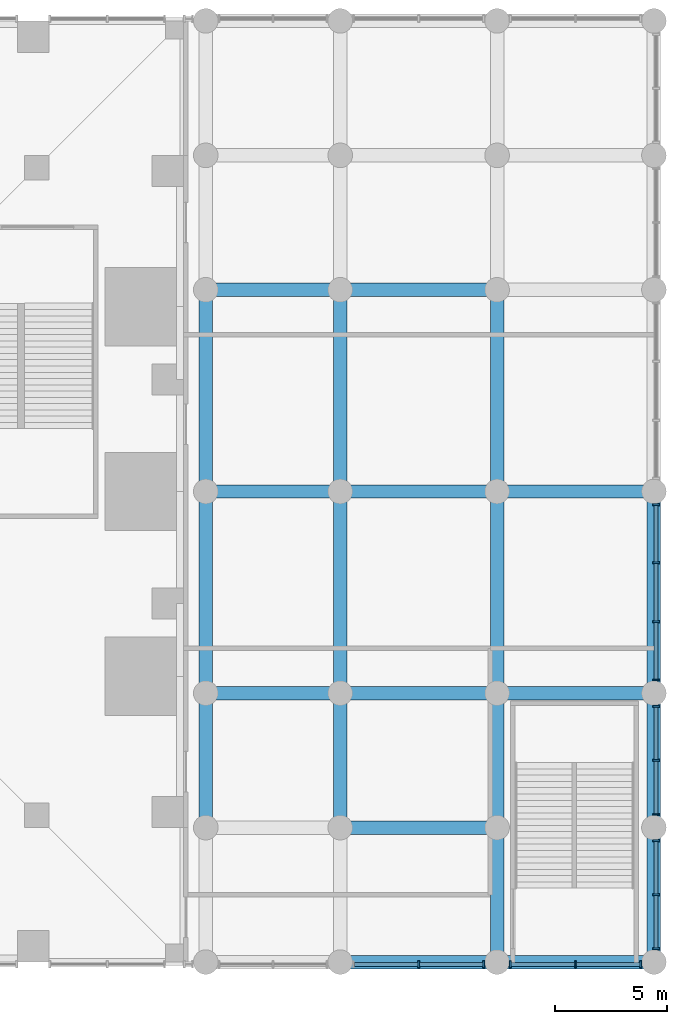
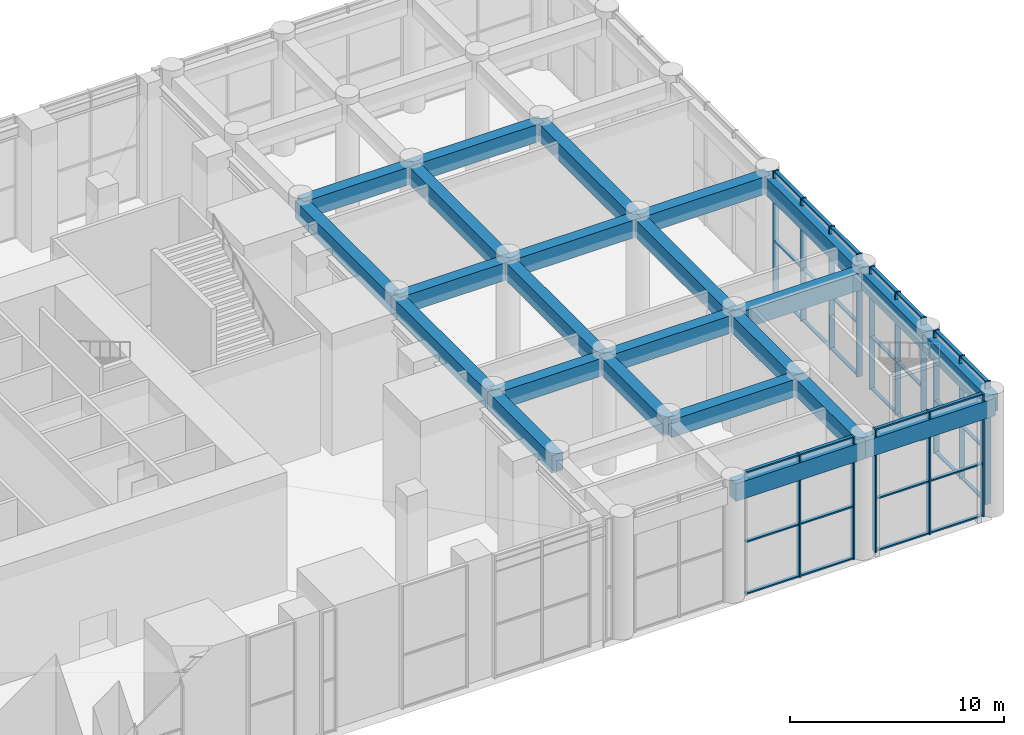
# One storey, part 12 of 30: 48 members, 24 beams, 5 elements without a shape of their own.
"""IFC4 building model written with IfcOpenShell, lengths in metres."""

from ifc_helpers import new_model, si_unit, direction, frame, origin, origin_2d, place, context, subcontext, project, spatial, rectangle, extrude, material, material_profile, profile_set, type_object, element, aggregate, save


model = new_model("IFC4")

# Units and contexts
model_context = context("Model", 3, precision=1e-05, world=origin(), true_north=direction((0.0, 1.0)))
body_context = subcontext(model_context, "Body", "Model", "MODEL_VIEW")
ifc_project = project(units=[si_unit("LENGTHUNIT", "METRE"), si_unit("AREAUNIT", "SQUARE_METRE"), si_unit("VOLUMEUNIT", "CUBIC_METRE"), si_unit("PLANEANGLEUNIT", "RADIAN"), si_unit("MASSUNIT", "GRAM", prefix="KILO")], contexts=[model_context])

# Site, building, storey
site_placement = place(None, origin())
site = spatial("IfcSite", under=ifc_project, at=site_placement, CompositionType="ELEMENT")
building_placement = place(site_placement, origin())
building = spatial("IfcBuilding", under=site, at=building_placement, Name="Svetlomir Tower", CompositionType="ELEMENT")
storey_placement = place(building_placement, frame((0.0, 0.0, 11.0)))
storey = spatial("IfcBuildingStorey", under=building, at=storey_placement, Name="L02", CompositionType="ELEMENT", Elevation=11.0)

# Curtain wall, members
ifc_material_1 = material(Name="Bronze anodised aluminium curtain wall", Category="aluminium")
curtain_wall_type = type_object("IfcCurtainWallType", Name="CURTAIN WALL CW5 PODIUM", PredefinedType="NOTDEFINED", material=ifc_material_1)
curtain_wall_1_placement = place(storey_placement, origin())
curtain_wall_1 = element("IfcCurtainWall", 1, at=curtain_wall_1_placement, inside=storey, type_object=curtain_wall_type, Name="Curtain wall CW5 L02", PredefinedType="NOTDEFINED")
ifc_material_2 = material(Name="Bronze anodised aluminium", Category="aluminium")
ifc_material_profile_1 = material_profile(ifc_material_2, rectangle(XDim=0.080078125, YDim=0.300048828125, at=origin_2d()), Name="AL 80x300")
ifc_profile_set_1 = profile_set([ifc_material_profile_1], Name="Bronze anodised aluminium 6063-T6")
member_type_1 = type_object("IfcMemberType", Name="CW5 MULLION 80x300", PredefinedType="MULLION", material=ifc_profile_set_1)
member_1_placement = place(storey_placement, frame((52.5, -0.10009765625, 0.0), z_axis=(0.0, 0.0, 1.0), x_axis=(1.0, 0.0, 0.0)))
member_1 = element("IfcMember", 2, at=member_1_placement, type_object=member_type_1, Name="CW5 mullion 2", PredefinedType="MULLION", context=body_context, shape_type="SweptSolid", body=[
    extrude(rectangle(XDim=0.080078125, YDim=0.300048828125, at=origin_2d()), origin(), (0.0, 0.0, 1.0), 7.0),
])
member_2_placement = place(storey_placement, frame((55.409912109375, -0.10009765625, 0.0), z_axis=(0.0, 0.0, 1.0), x_axis=(1.0, 0.0, 0.0)))
member_2 = element("IfcMember", 3, at=member_2_placement, type_object=member_type_1, Name="CW5 mullion 3", PredefinedType="MULLION", context=body_context, shape_type="SweptSolid", body=[
    extrude(rectangle(XDim=0.080078125, YDim=0.300048828125, at=origin_2d()), origin(), (0.0, 0.0, 1.0), 7.0),
])

curtain_wall_2_placement = place(storey_placement, origin())
curtain_wall_2 = element("IfcCurtainWall", 4, at=curtain_wall_2_placement, inside=storey, type_object=curtain_wall_type, Name="Curtain wall CW5 L02", PredefinedType="NOTDEFINED")
member_3_placement = place(storey_placement, frame((56.590087890625, -0.10009765625, 0.0), z_axis=(0.0, 0.0, 1.0), x_axis=(1.0, 0.0, 0.0)))
member_3 = element("IfcMember", 5, at=member_3_placement, type_object=member_type_1, Name="CW5 mullion 1", PredefinedType="MULLION", context=body_context, shape_type="SweptSolid", body=[
    extrude(rectangle(XDim=0.080078125, YDim=0.300048828125, at=origin_2d()), origin(), (0.0, 0.0, 1.0), 7.0),
])
member_4_placement = place(storey_placement, frame((59.5, -0.10009765625, 0.0), z_axis=(0.0, 0.0, 1.0), x_axis=(1.0, 0.0, 0.0)))
member_4 = element("IfcMember", 6, at=member_4_placement, type_object=member_type_1, Name="CW5 mullion 2", PredefinedType="MULLION", context=body_context, shape_type="SweptSolid", body=[
    extrude(rectangle(XDim=0.080078125, YDim=0.300048828125, at=origin_2d()), origin(), (0.0, 0.0, 1.0), 7.0),
])
member_5_placement = place(storey_placement, frame((62.409912109375, -0.10009765625, 0.0), z_axis=(0.0, 0.0, 1.0), x_axis=(1.0, 0.0, 0.0)))
member_5 = element("IfcMember", 7, at=member_5_placement, type_object=member_type_1, Name="CW5 mullion 3", PredefinedType="MULLION", context=body_context, shape_type="SweptSolid", body=[
    extrude(rectangle(XDim=0.080078125, YDim=0.300048828125, at=origin_2d()), origin(), (0.0, 0.0, 1.0), 7.0),
])

curtain_wall_3_placement = place(storey_placement, origin())
curtain_wall_3 = element("IfcCurtainWall", 8, at=curtain_wall_3_placement, inside=storey, type_object=curtain_wall_type, Name="Curtain wall CW5 L02", PredefinedType="NOTDEFINED")
member_6_placement = place(storey_placement, frame((63.10009765625, 0.590087890625, 0.0), z_axis=(0.0, 0.0, 1.0), x_axis=(0.0, 1.0, 0.0)))
member_6 = element("IfcMember", 9, at=member_6_placement, type_object=member_type_1, Name="CW5 mullion 1", PredefinedType="MULLION", context=body_context, shape_type="SweptSolid", body=[
    extrude(rectangle(XDim=0.080078125, YDim=0.300048828125, at=origin_2d()), origin(), (0.0, 0.0, 1.0), 7.0),
])
member_7_placement = place(storey_placement, frame((63.10009765625, 3.0, 0.0), z_axis=(0.0, 0.0, 1.0), x_axis=(0.0, 1.0, 0.0)))
member_7 = element("IfcMember", 10, at=member_7_placement, type_object=member_type_1, Name="CW5 mullion 2", PredefinedType="MULLION", context=body_context, shape_type="SweptSolid", body=[
    extrude(rectangle(XDim=0.080078125, YDim=0.300048828125, at=origin_2d()), origin(), (0.0, 0.0, 1.0), 7.0),
])
member_8_placement = place(storey_placement, frame((63.10009765625, 5.409912109375, 0.0), z_axis=(0.0, 0.0, 1.0), x_axis=(0.0, 1.0, 0.0)))
member_8 = element("IfcMember", 11, at=member_8_placement, type_object=member_type_1, Name="CW5 mullion 3", PredefinedType="MULLION", context=body_context, shape_type="SweptSolid", body=[
    extrude(rectangle(XDim=0.080078125, YDim=0.300048828125, at=origin_2d()), origin(), (0.0, 0.0, 1.0), 7.0),
])

curtain_wall_4_placement = place(storey_placement, origin())
curtain_wall_4 = element("IfcCurtainWall", 12, at=curtain_wall_4_placement, inside=storey, type_object=curtain_wall_type, Name="Curtain wall CW5 L02", PredefinedType="NOTDEFINED")
member_9_placement = place(storey_placement, frame((63.10009765625, 6.590087890625, 0.0), z_axis=(0.0, 0.0, 1.0), x_axis=(0.0, 1.0, 0.0)))
member_9 = element("IfcMember", 13, at=member_9_placement, type_object=member_type_1, Name="CW5 mullion 1", PredefinedType="MULLION", context=body_context, shape_type="SweptSolid", body=[
    extrude(rectangle(XDim=0.080078125, YDim=0.300048828125, at=origin_2d()), origin(), (0.0, 0.0, 1.0), 7.0),
])
member_10_placement = place(storey_placement, frame((63.10009765625, 9.0, 0.0), z_axis=(0.0, 0.0, 1.0), x_axis=(0.0, 1.0, 0.0)))
member_10 = element("IfcMember", 14, at=member_10_placement, type_object=member_type_1, Name="CW5 mullion 2", PredefinedType="MULLION", context=body_context, shape_type="SweptSolid", body=[
    extrude(rectangle(XDim=0.080078125, YDim=0.300048828125, at=origin_2d()), origin(), (0.0, 0.0, 1.0), 7.0),
])
member_11_placement = place(storey_placement, frame((63.10009765625, 11.409912109375, 0.0), z_axis=(0.0, 0.0, 1.0), x_axis=(0.0, 1.0, 0.0)))
member_11 = element("IfcMember", 15, at=member_11_placement, type_object=member_type_1, Name="CW5 mullion 3", PredefinedType="MULLION", context=body_context, shape_type="SweptSolid", body=[
    extrude(rectangle(XDim=0.080078125, YDim=0.300048828125, at=origin_2d()), origin(), (0.0, 0.0, 1.0), 7.0),
])

curtain_wall_5_placement = place(storey_placement, origin())
curtain_wall_5 = element("IfcCurtainWall", 16, at=curtain_wall_5_placement, inside=storey, type_object=curtain_wall_type, Name="Curtain wall CW5 L02", PredefinedType="NOTDEFINED")
member_12_placement = place(storey_placement, frame((63.10009765625, 12.590087890625, 0.0), z_axis=(0.0, 0.0, 1.0), x_axis=(0.0, 1.0, 0.0)))
member_12 = element("IfcMember", 17, at=member_12_placement, type_object=member_type_1, Name="CW5 mullion 1", PredefinedType="MULLION", context=body_context, shape_type="SweptSolid", body=[
    extrude(rectangle(XDim=0.080078125, YDim=0.300048828125, at=origin_2d()), origin(), (0.0, 0.0, 1.0), 7.0),
])
member_13_placement = place(storey_placement, frame((63.10009765625, 15.183349609375, 0.0), z_axis=(0.0, 0.0, 1.0), x_axis=(0.0, 1.0, 0.0)))
member_13 = element("IfcMember", 18, at=member_13_placement, type_object=member_type_1, Name="CW5 mullion 2", PredefinedType="MULLION", context=body_context, shape_type="SweptSolid", body=[
    extrude(rectangle(XDim=0.080078125, YDim=0.300048828125, at=origin_2d()), origin(), (0.0, 0.0, 1.0), 7.0),
])
member_14_placement = place(storey_placement, frame((63.10009765625, 17.816650390625, 0.0), z_axis=(0.0, 0.0, 1.0), x_axis=(0.0, 1.0, 0.0)))
member_14 = element("IfcMember", 19, at=member_14_placement, type_object=member_type_1, Name="CW5 mullion 3", PredefinedType="MULLION", context=body_context, shape_type="SweptSolid", body=[
    extrude(rectangle(XDim=0.080078125, YDim=0.300048828125, at=origin_2d()), origin(), (0.0, 0.0, 1.0), 7.0),
])
member_15_placement = place(storey_placement, frame((63.10009765625, 20.409912109375, 0.0), z_axis=(0.0, 0.0, 1.0), x_axis=(0.0, 1.0, 0.0)))
member_15 = element("IfcMember", 20, at=member_15_placement, type_object=member_type_1, Name="CW5 mullion 4", PredefinedType="MULLION", context=body_context, shape_type="SweptSolid", body=[
    extrude(rectangle(XDim=0.080078125, YDim=0.300048828125, at=origin_2d()), origin(), (0.0, 0.0, 1.0), 7.0),
])

# Member
ifc_material_3 = material(Name="Bronze anodised aluminium", Category="aluminium")
ifc_material_profile_2 = material_profile(ifc_material_3, rectangle(XDim=0.179931640625, YDim=0.080078125, at=origin_2d()), Name="AL 180x80")
ifc_profile_set_2 = profile_set([ifc_material_profile_2], Name="Bronze anodised aluminium 6063-T6")
member_type_2 = type_object("IfcMemberType", Name="CW5 TRANSOM 80x180", PredefinedType="USERDEFINED", material=ifc_profile_set_2)
member_16_placement = place(storey_placement, frame((49.6298828125, -0.10009765625, 0.0400390625), z_axis=(1.0, 0.0, 0.0), x_axis=(0.0, 1.0, 0.0)))
member_16 = element("IfcMember", 21, at=member_16_placement, type_object=member_type_2, Name="CW5 transom 1.1", ObjectType="TRANSOM", PredefinedType="USERDEFINED", context=body_context, shape_type="SweptSolid", body=[
    extrude(rectangle(XDim=0.179931640625, YDim=0.080078125, at=origin_2d()), origin(), (0.0, 0.0, 1.0), 2.830078125),
])

member_17_placement = place(storey_placement, frame((49.6298828125, -0.10009765625, 3.0), z_axis=(1.0, 0.0, 0.0), x_axis=(0.0, 1.0, 0.0)))
member_17 = element("IfcMember", 22, at=member_17_placement, type_object=member_type_2, Name="CW5 transom 1.2", ObjectType="TRANSOM", PredefinedType="USERDEFINED", context=body_context, shape_type="SweptSolid", body=[
    extrude(rectangle(XDim=0.179931640625, YDim=0.080078125, at=origin_2d()), origin(), (0.0, 0.0, 1.0), 2.830078125),
])

member_18_placement = place(storey_placement, frame((49.6298828125, -0.10009765625, 6.9599609375), z_axis=(1.0, 0.0, 0.0), x_axis=(0.0, 1.0, 0.0)))
member_18 = element("IfcMember", 23, at=member_18_placement, type_object=member_type_2, Name="CW5 transom 1.3", ObjectType="TRANSOM", PredefinedType="USERDEFINED", context=body_context, shape_type="SweptSolid", body=[
    extrude(rectangle(XDim=0.179931640625, YDim=0.080078125, at=origin_2d()), origin(), (0.0, 0.0, 1.0), 2.830078125),
])

member_19_placement = place(storey_placement, frame((52.5400390625, -0.10009765625, 0.0400390625), z_axis=(1.0, 0.0, 0.0), x_axis=(0.0, 1.0, 0.0)))
member_19 = element("IfcMember", 24, at=member_19_placement, type_object=member_type_2, Name="CW5 transom 2.1", ObjectType="TRANSOM", PredefinedType="USERDEFINED", context=body_context, shape_type="SweptSolid", body=[
    extrude(rectangle(XDim=0.179931640625, YDim=0.080078125, at=origin_2d()), origin(), (0.0, 0.0, 1.0), 2.830078125),
])

member_20_placement = place(storey_placement, frame((52.5400390625, -0.10009765625, 3.0), z_axis=(1.0, 0.0, 0.0), x_axis=(0.0, 1.0, 0.0)))
member_20 = element("IfcMember", 25, at=member_20_placement, type_object=member_type_2, Name="CW5 transom 2.2", ObjectType="TRANSOM", PredefinedType="USERDEFINED", context=body_context, shape_type="SweptSolid", body=[
    extrude(rectangle(XDim=0.179931640625, YDim=0.080078125, at=origin_2d()), origin(), (0.0, 0.0, 1.0), 2.830078125),
])

member_21_placement = place(storey_placement, frame((52.5400390625, -0.10009765625, 6.9599609375), z_axis=(1.0, 0.0, 0.0), x_axis=(0.0, 1.0, 0.0)))
member_21 = element("IfcMember", 26, at=member_21_placement, type_object=member_type_2, Name="CW5 transom 2.3", ObjectType="TRANSOM", PredefinedType="USERDEFINED", context=body_context, shape_type="SweptSolid", body=[
    extrude(rectangle(XDim=0.179931640625, YDim=0.080078125, at=origin_2d()), origin(), (0.0, 0.0, 1.0), 2.830078125),
])

aggregate(curtain_wall_1, [member_1, member_2, member_16, member_17, member_18, member_19, member_20, member_21])

member_22_placement = place(storey_placement, frame((56.6298828125, -0.10009765625, 0.0400390625), z_axis=(1.0, 0.0, 0.0), x_axis=(0.0, 1.0, 0.0)))
member_22 = element("IfcMember", 27, at=member_22_placement, type_object=member_type_2, Name="CW5 transom 1.1", ObjectType="TRANSOM", PredefinedType="USERDEFINED", context=body_context, shape_type="SweptSolid", body=[
    extrude(rectangle(XDim=0.179931640625, YDim=0.080078125, at=origin_2d()), origin(), (0.0, 0.0, 1.0), 2.830078125),
])

member_23_placement = place(storey_placement, frame((56.6298828125, -0.10009765625, 3.0), z_axis=(1.0, 0.0, 0.0), x_axis=(0.0, 1.0, 0.0)))
member_23 = element("IfcMember", 28, at=member_23_placement, type_object=member_type_2, Name="CW5 transom 1.2", ObjectType="TRANSOM", PredefinedType="USERDEFINED", context=body_context, shape_type="SweptSolid", body=[
    extrude(rectangle(XDim=0.179931640625, YDim=0.080078125, at=origin_2d()), origin(), (0.0, 0.0, 1.0), 2.830078125),
])

member_24_placement = place(storey_placement, frame((56.6298828125, -0.10009765625, 6.9599609375), z_axis=(1.0, 0.0, 0.0), x_axis=(0.0, 1.0, 0.0)))
member_24 = element("IfcMember", 29, at=member_24_placement, type_object=member_type_2, Name="CW5 transom 1.3", ObjectType="TRANSOM", PredefinedType="USERDEFINED", context=body_context, shape_type="SweptSolid", body=[
    extrude(rectangle(XDim=0.179931640625, YDim=0.080078125, at=origin_2d()), origin(), (0.0, 0.0, 1.0), 2.830078125),
])

member_25_placement = place(storey_placement, frame((59.5400390625, -0.10009765625, 0.0400390625), z_axis=(1.0, 0.0, 0.0), x_axis=(0.0, 1.0, 0.0)))
member_25 = element("IfcMember", 30, at=member_25_placement, type_object=member_type_2, Name="CW5 transom 2.1", ObjectType="TRANSOM", PredefinedType="USERDEFINED", context=body_context, shape_type="SweptSolid", body=[
    extrude(rectangle(XDim=0.179931640625, YDim=0.080078125, at=origin_2d()), origin(), (0.0, 0.0, 1.0), 2.830078125),
])

member_26_placement = place(storey_placement, frame((59.5400390625, -0.10009765625, 3.0), z_axis=(1.0, 0.0, 0.0), x_axis=(0.0, 1.0, 0.0)))
member_26 = element("IfcMember", 31, at=member_26_placement, type_object=member_type_2, Name="CW5 transom 2.2", ObjectType="TRANSOM", PredefinedType="USERDEFINED", context=body_context, shape_type="SweptSolid", body=[
    extrude(rectangle(XDim=0.179931640625, YDim=0.080078125, at=origin_2d()), origin(), (0.0, 0.0, 1.0), 2.830078125),
])

member_27_placement = place(storey_placement, frame((59.5400390625, -0.10009765625, 6.9599609375), z_axis=(1.0, 0.0, 0.0), x_axis=(0.0, 1.0, 0.0)))
member_27 = element("IfcMember", 32, at=member_27_placement, type_object=member_type_2, Name="CW5 transom 2.3", ObjectType="TRANSOM", PredefinedType="USERDEFINED", context=body_context, shape_type="SweptSolid", body=[
    extrude(rectangle(XDim=0.179931640625, YDim=0.080078125, at=origin_2d()), origin(), (0.0, 0.0, 1.0), 2.830078125),
])

aggregate(curtain_wall_2, [member_3, member_4, member_5, member_22, member_23, member_24, member_25, member_26, member_27])

member_28_placement = place(storey_placement, frame((63.10009765625, 0.6298828125, 0.0400390625), z_axis=(0.0, 1.0, 0.0), x_axis=(-1.0, 0.0, 0.0)))
member_28 = element("IfcMember", 33, at=member_28_placement, type_object=member_type_2, Name="CW5 transom 1.1", ObjectType="TRANSOM", PredefinedType="USERDEFINED", context=body_context, shape_type="SweptSolid", body=[
    extrude(rectangle(XDim=0.179931640625, YDim=0.080078125, at=origin_2d()), origin(), (0.0, 0.0, 1.0), 2.330078125),
])

member_29_placement = place(storey_placement, frame((63.10009765625, 0.6298828125, 3.0), z_axis=(0.0, 1.0, 0.0), x_axis=(-1.0, 0.0, 0.0)))
member_29 = element("IfcMember", 34, at=member_29_placement, type_object=member_type_2, Name="CW5 transom 1.2", ObjectType="TRANSOM", PredefinedType="USERDEFINED", context=body_context, shape_type="SweptSolid", body=[
    extrude(rectangle(XDim=0.179931640625, YDim=0.080078125, at=origin_2d()), origin(), (0.0, 0.0, 1.0), 2.330078125),
])

member_30_placement = place(storey_placement, frame((63.10009765625, 0.6298828125, 6.9599609375), z_axis=(0.0, 1.0, 0.0), x_axis=(-1.0, 0.0, 0.0)))
member_30 = element("IfcMember", 35, at=member_30_placement, type_object=member_type_2, Name="CW5 transom 1.3", ObjectType="TRANSOM", PredefinedType="USERDEFINED", context=body_context, shape_type="SweptSolid", body=[
    extrude(rectangle(XDim=0.179931640625, YDim=0.080078125, at=origin_2d()), origin(), (0.0, 0.0, 1.0), 2.330078125),
])

member_31_placement = place(storey_placement, frame((63.10009765625, 3.0400390625, 0.0400390625), z_axis=(0.0, 1.0, 0.0), x_axis=(-1.0, 0.0, 0.0)))
member_31 = element("IfcMember", 36, at=member_31_placement, type_object=member_type_2, Name="CW5 transom 2.1", ObjectType="TRANSOM", PredefinedType="USERDEFINED", context=body_context, shape_type="SweptSolid", body=[
    extrude(rectangle(XDim=0.179931640625, YDim=0.080078125, at=origin_2d()), origin(), (0.0, 0.0, 1.0), 2.330078125),
])

member_32_placement = place(storey_placement, frame((63.10009765625, 3.0400390625, 3.0), z_axis=(0.0, 1.0, 0.0), x_axis=(-1.0, 0.0, 0.0)))
member_32 = element("IfcMember", 37, at=member_32_placement, type_object=member_type_2, Name="CW5 transom 2.2", ObjectType="TRANSOM", PredefinedType="USERDEFINED", context=body_context, shape_type="SweptSolid", body=[
    extrude(rectangle(XDim=0.179931640625, YDim=0.080078125, at=origin_2d()), origin(), (0.0, 0.0, 1.0), 2.330078125),
])

member_33_placement = place(storey_placement, frame((63.10009765625, 3.0400390625, 6.9599609375), z_axis=(0.0, 1.0, 0.0), x_axis=(-1.0, 0.0, 0.0)))
member_33 = element("IfcMember", 38, at=member_33_placement, type_object=member_type_2, Name="CW5 transom 2.3", ObjectType="TRANSOM", PredefinedType="USERDEFINED", context=body_context, shape_type="SweptSolid", body=[
    extrude(rectangle(XDim=0.179931640625, YDim=0.080078125, at=origin_2d()), origin(), (0.0, 0.0, 1.0), 2.330078125),
])

aggregate(curtain_wall_3, [member_6, member_7, member_8, member_28, member_29, member_30, member_31, member_32, member_33])

member_34_placement = place(storey_placement, frame((63.10009765625, 6.6298828125, 0.0400390625), z_axis=(0.0, 1.0, 0.0), x_axis=(-1.0, 0.0, 0.0)))
member_34 = element("IfcMember", 39, at=member_34_placement, type_object=member_type_2, Name="CW5 transom 1.1", ObjectType="TRANSOM", PredefinedType="USERDEFINED", context=body_context, shape_type="SweptSolid", body=[
    extrude(rectangle(XDim=0.179931640625, YDim=0.080078125, at=origin_2d()), origin(), (0.0, 0.0, 1.0), 2.330078125),
])

member_35_placement = place(storey_placement, frame((63.10009765625, 6.6298828125, 3.0), z_axis=(0.0, 1.0, 0.0), x_axis=(-1.0, 0.0, 0.0)))
member_35 = element("IfcMember", 40, at=member_35_placement, type_object=member_type_2, Name="CW5 transom 1.2", ObjectType="TRANSOM", PredefinedType="USERDEFINED", context=body_context, shape_type="SweptSolid", body=[
    extrude(rectangle(XDim=0.179931640625, YDim=0.080078125, at=origin_2d()), origin(), (0.0, 0.0, 1.0), 2.330078125),
])

member_36_placement = place(storey_placement, frame((63.10009765625, 6.6298828125, 6.9599609375), z_axis=(0.0, 1.0, 0.0), x_axis=(-1.0, 0.0, 0.0)))
member_36 = element("IfcMember", 41, at=member_36_placement, type_object=member_type_2, Name="CW5 transom 1.3", ObjectType="TRANSOM", PredefinedType="USERDEFINED", context=body_context, shape_type="SweptSolid", body=[
    extrude(rectangle(XDim=0.179931640625, YDim=0.080078125, at=origin_2d()), origin(), (0.0, 0.0, 1.0), 2.330078125),
])

member_37_placement = place(storey_placement, frame((63.10009765625, 9.0400390625, 0.0400390625), z_axis=(0.0, 1.0, 0.0), x_axis=(-1.0, 0.0, 0.0)))
member_37 = element("IfcMember", 42, at=member_37_placement, type_object=member_type_2, Name="CW5 transom 2.1", ObjectType="TRANSOM", PredefinedType="USERDEFINED", context=body_context, shape_type="SweptSolid", body=[
    extrude(rectangle(XDim=0.179931640625, YDim=0.080078125, at=origin_2d()), origin(), (0.0, 0.0, 1.0), 2.330078125),
])

member_38_placement = place(storey_placement, frame((63.10009765625, 9.0400390625, 3.0), z_axis=(0.0, 1.0, 0.0), x_axis=(-1.0, 0.0, 0.0)))
member_38 = element("IfcMember", 43, at=member_38_placement, type_object=member_type_2, Name="CW5 transom 2.2", ObjectType="TRANSOM", PredefinedType="USERDEFINED", context=body_context, shape_type="SweptSolid", body=[
    extrude(rectangle(XDim=0.179931640625, YDim=0.080078125, at=origin_2d()), origin(), (0.0, 0.0, 1.0), 2.330078125),
])

member_39_placement = place(storey_placement, frame((63.10009765625, 9.0400390625, 6.9599609375), z_axis=(0.0, 1.0, 0.0), x_axis=(-1.0, 0.0, 0.0)))
member_39 = element("IfcMember", 44, at=member_39_placement, type_object=member_type_2, Name="CW5 transom 2.3", ObjectType="TRANSOM", PredefinedType="USERDEFINED", context=body_context, shape_type="SweptSolid", body=[
    extrude(rectangle(XDim=0.179931640625, YDim=0.080078125, at=origin_2d()), origin(), (0.0, 0.0, 1.0), 2.330078125),
])

aggregate(curtain_wall_4, [member_9, member_10, member_11, member_34, member_35, member_36, member_37, member_38, member_39])

member_40_placement = place(storey_placement, frame((63.10009765625, 12.6298828125, 0.0400390625), z_axis=(0.0, 1.0, 0.0), x_axis=(-1.0, 0.0, 0.0)))
member_40 = element("IfcMember", 45, at=member_40_placement, type_object=member_type_2, Name="CW5 transom 1.1", ObjectType="TRANSOM", PredefinedType="USERDEFINED", context=body_context, shape_type="SweptSolid", body=[
    extrude(rectangle(XDim=0.179931640625, YDim=0.080078125, at=origin_2d()), origin(), (0.0, 0.0, 1.0), 2.513427734375),
])

member_41_placement = place(storey_placement, frame((63.10009765625, 12.6298828125, 3.0), z_axis=(0.0, 1.0, 0.0), x_axis=(-1.0, 0.0, 0.0)))
member_41 = element("IfcMember", 46, at=member_41_placement, type_object=member_type_2, Name="CW5 transom 1.2", ObjectType="TRANSOM", PredefinedType="USERDEFINED", context=body_context, shape_type="SweptSolid", body=[
    extrude(rectangle(XDim=0.179931640625, YDim=0.080078125, at=origin_2d()), origin(), (0.0, 0.0, 1.0), 2.513427734375),
])

member_42_placement = place(storey_placement, frame((63.10009765625, 12.6298828125, 6.9599609375), z_axis=(0.0, 1.0, 0.0), x_axis=(-1.0, 0.0, 0.0)))
member_42 = element("IfcMember", 47, at=member_42_placement, type_object=member_type_2, Name="CW5 transom 1.3", ObjectType="TRANSOM", PredefinedType="USERDEFINED", context=body_context, shape_type="SweptSolid", body=[
    extrude(rectangle(XDim=0.179931640625, YDim=0.080078125, at=origin_2d()), origin(), (0.0, 0.0, 1.0), 2.513427734375),
])

member_43_placement = place(storey_placement, frame((63.10009765625, 15.223388671875, 0.0400390625), z_axis=(0.0, 1.0, 0.0), x_axis=(-1.0, 0.0, 0.0)))
member_43 = element("IfcMember", 48, at=member_43_placement, type_object=member_type_2, Name="CW5 transom 2.1", ObjectType="TRANSOM", PredefinedType="USERDEFINED", context=body_context, shape_type="SweptSolid", body=[
    extrude(rectangle(XDim=0.179931640625, YDim=0.080078125, at=origin_2d()), origin(), (0.0, 0.0, 1.0), 2.55322265625),
])

member_44_placement = place(storey_placement, frame((63.10009765625, 15.223388671875, 3.0), z_axis=(0.0, 1.0, 0.0), x_axis=(-1.0, 0.0, 0.0)))
member_44 = element("IfcMember", 49, at=member_44_placement, type_object=member_type_2, Name="CW5 transom 2.2", ObjectType="TRANSOM", PredefinedType="USERDEFINED", context=body_context, shape_type="SweptSolid", body=[
    extrude(rectangle(XDim=0.179931640625, YDim=0.080078125, at=origin_2d()), origin(), (0.0, 0.0, 1.0), 2.55322265625),
])

member_45_placement = place(storey_placement, frame((63.10009765625, 15.223388671875, 6.9599609375), z_axis=(0.0, 1.0, 0.0), x_axis=(-1.0, 0.0, 0.0)))
member_45 = element("IfcMember", 50, at=member_45_placement, type_object=member_type_2, Name="CW5 transom 2.3", ObjectType="TRANSOM", PredefinedType="USERDEFINED", context=body_context, shape_type="SweptSolid", body=[
    extrude(rectangle(XDim=0.179931640625, YDim=0.080078125, at=origin_2d()), origin(), (0.0, 0.0, 1.0), 2.55322265625),
])

member_46_placement = place(storey_placement, frame((63.10009765625, 17.856689453125, 0.0400390625), z_axis=(0.0, 1.0, 0.0), x_axis=(-1.0, 0.0, 0.0)))
member_46 = element("IfcMember", 51, at=member_46_placement, type_object=member_type_2, Name="CW5 transom 3.1", ObjectType="TRANSOM", PredefinedType="USERDEFINED", context=body_context, shape_type="SweptSolid", body=[
    extrude(rectangle(XDim=0.179931640625, YDim=0.080078125, at=origin_2d()), origin(), (0.0, 0.0, 1.0), 2.513427734375),
])

member_47_placement = place(storey_placement, frame((63.10009765625, 17.856689453125, 3.0), z_axis=(0.0, 1.0, 0.0), x_axis=(-1.0, 0.0, 0.0)))
member_47 = element("IfcMember", 52, at=member_47_placement, type_object=member_type_2, Name="CW5 transom 3.2", ObjectType="TRANSOM", PredefinedType="USERDEFINED", context=body_context, shape_type="SweptSolid", body=[
    extrude(rectangle(XDim=0.179931640625, YDim=0.080078125, at=origin_2d()), origin(), (0.0, 0.0, 1.0), 2.513427734375),
])

member_48_placement = place(storey_placement, frame((63.10009765625, 17.856689453125, 6.9599609375), z_axis=(0.0, 1.0, 0.0), x_axis=(-1.0, 0.0, 0.0)))
member_48 = element("IfcMember", 53, at=member_48_placement, type_object=member_type_2, Name="CW5 transom 3.3", ObjectType="TRANSOM", PredefinedType="USERDEFINED", context=body_context, shape_type="SweptSolid", body=[
    extrude(rectangle(XDim=0.179931640625, YDim=0.080078125, at=origin_2d()), origin(), (0.0, 0.0, 1.0), 2.513427734375),
])

aggregate(curtain_wall_5, [member_12, member_13, member_14, member_15, member_40, member_41, member_42, member_43, member_44, member_45, member_46, member_47, member_48])

# Beams
ifc_material_4 = material(Name="Concrete C60/75", Category="concrete")
ifc_material_profile_3 = material_profile(ifc_material_4, rectangle(XDim=0.60009765625, YDim=1.0, at=origin_2d()), Name="RC 600x1000")
ifc_profile_set_3 = profile_set([ifc_material_profile_3], Name="Concrete C60/75")
beam_type = type_object("IfcBeamType", Name="PODIUM BEAM RC 600x1000", PredefinedType="BEAM", material=ifc_profile_set_3)
beam_1_placement = place(storey_placement, frame((43.0, 6.0, 6.10009765625), z_axis=(0.0, 1.0, 0.0), x_axis=(-1.0, 0.0, 0.0)))
element("IfcBeam", 54, at=beam_1_placement, inside=storey, type_object=beam_type, Name="Podium beam 43/6 to 43/12 under L03", PredefinedType="BEAM", context=body_context, shape_type="SweptSolid", body=[
    extrude(rectangle(XDim=0.60009765625, YDim=1.0, at=origin_2d()), origin(), (0.0, 0.0, 1.0), 6.0),
])
beam_2_placement = place(storey_placement, frame((43.0, 12.0, 6.10009765625), z_axis=(0.0, 1.0, 0.0), x_axis=(-1.0, 0.0, 0.0)))
element("IfcBeam", 55, at=beam_2_placement, inside=storey, type_object=beam_type, Name="Podium beam 43/12 to 43/21 under L03", PredefinedType="BEAM", context=body_context, shape_type="SweptSolid", body=[
    extrude(rectangle(XDim=0.60009765625, YDim=1.0, at=origin_2d()), origin(), (0.0, 0.0, 1.0), 9.0),
])
beam_3_placement = place(storey_placement, frame((43.0, 12.0, 6.10009765625), z_axis=(1.0, 0.0, 0.0), x_axis=(0.0, 1.0, 0.0)))
element("IfcBeam", 56, at=beam_3_placement, inside=storey, type_object=beam_type, Name="Podium beam 43/12 to 49/12 under L03", PredefinedType="BEAM", context=body_context, shape_type="SweptSolid", body=[
    extrude(rectangle(XDim=0.60009765625, YDim=1.0, at=origin_2d()), origin(), (0.0, 0.0, 1.0), 6.0),
])
beam_4_placement = place(storey_placement, frame((43.0, 21.0, 6.10009765625), z_axis=(0.0, 1.0, 0.0), x_axis=(-1.0, 0.0, 0.0)))
element("IfcBeam", 57, at=beam_4_placement, inside=storey, type_object=beam_type, Name="Podium beam 43/21 to 43/30 under L03", PredefinedType="BEAM", context=body_context, shape_type="SweptSolid", body=[
    extrude(rectangle(XDim=0.60009765625, YDim=1.0, at=origin_2d()), origin(), (0.0, 0.0, 1.0), 9.0),
])
for number, where, z_axis, x_axis, name in (
    (58, (43.0, 21.0, 6.10009765625), (1.0, 0.0, 0.0), (0.0, 1.0, 0.0), "Podium beam 43/21 to 49/21 under L03"),
    (59, (43.0, 30.0, 6.10009765625), (1.0, 0.0, 0.0), (0.0, 1.0, 0.0), "Podium beam 43/30 to 49/30 under L03"),
):
    element("IfcBeam", number, at=place(storey_placement, frame(where, z_axis=z_axis, x_axis=x_axis)), inside=storey, type_object=beam_type, Name=name, PredefinedType="BEAM", context=body_context, shape_type="SweptSolid", body=[
        extrude(rectangle(XDim=0.60009765625, YDim=1.0, at=origin_2d()), origin(), (0.0, 0.0, 1.0), 6.0),
    ])
beam_5_placement = place(storey_placement, frame((49.0, 0.0, 6.10009765625), z_axis=(1.0, 0.0, 0.0), x_axis=(0.0, 1.0, 0.0)))
element("IfcBeam", 60, at=beam_5_placement, inside=storey, type_object=beam_type, Name="Podium beam 49/0 to 56/0 under L03", PredefinedType="BEAM", context=body_context, shape_type="SweptSolid", body=[
    extrude(rectangle(XDim=0.60009765625, YDim=1.0, at=origin_2d()), origin(), (0.0, 0.0, 1.0), 7.0),
])
beam_6_placement = place(storey_placement, frame((49.0, 6.0, 6.10009765625), z_axis=(0.0, 1.0, 0.0), x_axis=(-1.0, 0.0, 0.0)))
element("IfcBeam", 61, at=beam_6_placement, inside=storey, type_object=beam_type, Name="Podium beam 49/6 to 49/12 under L03", PredefinedType="BEAM", context=body_context, shape_type="SweptSolid", body=[
    extrude(rectangle(XDim=0.60009765625, YDim=1.0, at=origin_2d()), origin(), (0.0, 0.0, 1.0), 6.0),
])
beam_7_placement = place(storey_placement, frame((49.0, 6.0, 6.10009765625), z_axis=(1.0, 0.0, 0.0), x_axis=(0.0, 1.0, 0.0)))
element("IfcBeam", 62, at=beam_7_placement, inside=storey, type_object=beam_type, Name="Podium beam 49/6 to 56/6 under L03", PredefinedType="BEAM", context=body_context, shape_type="SweptSolid", body=[
    extrude(rectangle(XDim=0.60009765625, YDim=1.0, at=origin_2d()), origin(), (0.0, 0.0, 1.0), 7.0),
])
beam_8_placement = place(storey_placement, frame((49.0, 12.0, 6.10009765625), z_axis=(0.0, 1.0, 0.0), x_axis=(-1.0, 0.0, 0.0)))
element("IfcBeam", 63, at=beam_8_placement, inside=storey, type_object=beam_type, Name="Podium beam 49/12 to 49/21 under L03", PredefinedType="BEAM", context=body_context, shape_type="SweptSolid", body=[
    extrude(rectangle(XDim=0.60009765625, YDim=1.0, at=origin_2d()), origin(), (0.0, 0.0, 1.0), 9.0),
])
beam_9_placement = place(storey_placement, frame((49.0, 12.0, 6.10009765625), z_axis=(1.0, 0.0, 0.0), x_axis=(0.0, 1.0, 0.0)))
element("IfcBeam", 64, at=beam_9_placement, inside=storey, type_object=beam_type, Name="Podium beam 49/12 to 56/12 under L03", PredefinedType="BEAM", context=body_context, shape_type="SweptSolid", body=[
    extrude(rectangle(XDim=0.60009765625, YDim=1.0, at=origin_2d()), origin(), (0.0, 0.0, 1.0), 7.0),
])
beam_10_placement = place(storey_placement, frame((49.0, 21.0, 6.10009765625), z_axis=(0.0, 1.0, 0.0), x_axis=(-1.0, 0.0, 0.0)))
element("IfcBeam", 65, at=beam_10_placement, inside=storey, type_object=beam_type, Name="Podium beam 49/21 to 49/30 under L03", PredefinedType="BEAM", context=body_context, shape_type="SweptSolid", body=[
    extrude(rectangle(XDim=0.60009765625, YDim=1.0, at=origin_2d()), origin(), (0.0, 0.0, 1.0), 9.0),
])
for number, where, z_axis, x_axis, name in (
    (66, (49.0, 21.0, 6.10009765625), (1.0, 0.0, 0.0), (0.0, 1.0, 0.0), "Podium beam 49/21 to 56/21 under L03"),
    (67, (49.0, 30.0, 6.10009765625), (1.0, 0.0, 0.0), (0.0, 1.0, 0.0), "Podium beam 49/30 to 56/30 under L03"),
):
    element("IfcBeam", number, at=place(storey_placement, frame(where, z_axis=z_axis, x_axis=x_axis)), inside=storey, type_object=beam_type, Name=name, PredefinedType="BEAM", context=body_context, shape_type="SweptSolid", body=[
        extrude(rectangle(XDim=0.60009765625, YDim=1.0, at=origin_2d()), origin(), (0.0, 0.0, 1.0), 7.0),
    ])
beam_11_placement = place(storey_placement, frame((56.0, 0.0, 6.10009765625), z_axis=(0.0, 1.0, 0.0), x_axis=(-1.0, 0.0, 0.0)))
element("IfcBeam", 68, at=beam_11_placement, inside=storey, type_object=beam_type, Name="Podium beam 56/0 to 56/6 under L03", PredefinedType="BEAM", context=body_context, shape_type="SweptSolid", body=[
    extrude(rectangle(XDim=0.60009765625, YDim=1.0, at=origin_2d()), origin(), (0.0, 0.0, 1.0), 6.0),
])
beam_12_placement = place(storey_placement, frame((56.0, 0.0, 6.10009765625), z_axis=(1.0, 0.0, 0.0), x_axis=(0.0, 1.0, 0.0)))
element("IfcBeam", 69, at=beam_12_placement, inside=storey, type_object=beam_type, Name="Podium beam 56/0 to 63/0 under L03", PredefinedType="BEAM", context=body_context, shape_type="SweptSolid", body=[
    extrude(rectangle(XDim=0.60009765625, YDim=1.0, at=origin_2d()), origin(), (0.0, 0.0, 1.0), 7.0),
])
beam_13_placement = place(storey_placement, frame((56.0, 6.0, 6.10009765625), z_axis=(0.0, 1.0, 0.0), x_axis=(-1.0, 0.0, 0.0)))
element("IfcBeam", 70, at=beam_13_placement, inside=storey, type_object=beam_type, Name="Podium beam 56/6 to 56/12 under L03", PredefinedType="BEAM", context=body_context, shape_type="SweptSolid", body=[
    extrude(rectangle(XDim=0.60009765625, YDim=1.0, at=origin_2d()), origin(), (0.0, 0.0, 1.0), 6.0),
])
beam_14_placement = place(storey_placement, frame((56.0, 12.0, 6.10009765625), z_axis=(0.0, 1.0, 0.0), x_axis=(-1.0, 0.0, 0.0)))
element("IfcBeam", 71, at=beam_14_placement, inside=storey, type_object=beam_type, Name="Podium beam 56/12 to 56/21 under L03", PredefinedType="BEAM", context=body_context, shape_type="SweptSolid", body=[
    extrude(rectangle(XDim=0.60009765625, YDim=1.0, at=origin_2d()), origin(), (0.0, 0.0, 1.0), 9.0),
])
beam_15_placement = place(storey_placement, frame((56.0, 12.0, 6.10009765625), z_axis=(1.0, 0.0, 0.0), x_axis=(0.0, 1.0, 0.0)))
element("IfcBeam", 72, at=beam_15_placement, inside=storey, type_object=beam_type, Name="Podium beam 56/12 to 63/12 under L03", PredefinedType="BEAM", context=body_context, shape_type="SweptSolid", body=[
    extrude(rectangle(XDim=0.60009765625, YDim=1.0, at=origin_2d()), origin(), (0.0, 0.0, 1.0), 7.0),
])
beam_16_placement = place(storey_placement, frame((56.0, 21.0, 6.10009765625), z_axis=(0.0, 1.0, 0.0), x_axis=(-1.0, 0.0, 0.0)))
element("IfcBeam", 73, at=beam_16_placement, inside=storey, type_object=beam_type, Name="Podium beam 56/21 to 56/30 under L03", PredefinedType="BEAM", context=body_context, shape_type="SweptSolid", body=[
    extrude(rectangle(XDim=0.60009765625, YDim=1.0, at=origin_2d()), origin(), (0.0, 0.0, 1.0), 9.0),
])
beam_17_placement = place(storey_placement, frame((56.0, 21.0, 6.10009765625), z_axis=(1.0, 0.0, 0.0), x_axis=(0.0, 1.0, 0.0)))
element("IfcBeam", 74, at=beam_17_placement, inside=storey, type_object=beam_type, Name="Podium beam 56/21 to 63/21 under L03", PredefinedType="BEAM", context=body_context, shape_type="SweptSolid", body=[
    extrude(rectangle(XDim=0.60009765625, YDim=1.0, at=origin_2d()), origin(), (0.0, 0.0, 1.0), 7.0),
])
for number, where, z_axis, x_axis, name in (
    (75, (63.0, 0.0, 6.10009765625), (0.0, 1.0, 0.0), (-1.0, 0.0, 0.0), "Podium beam 63/0 to 63/6 under L03"),
    (76, (63.0, 6.0, 6.10009765625), (0.0, 1.0, 0.0), (-1.0, 0.0, 0.0), "Podium beam 63/6 to 63/12 under L03"),
):
    element("IfcBeam", number, at=place(storey_placement, frame(where, z_axis=z_axis, x_axis=x_axis)), inside=storey, type_object=beam_type, Name=name, PredefinedType="BEAM", context=body_context, shape_type="SweptSolid", body=[
        extrude(rectangle(XDim=0.60009765625, YDim=1.0, at=origin_2d()), origin(), (0.0, 0.0, 1.0), 6.0),
    ])
beam_18_placement = place(storey_placement, frame((63.0, 12.0, 6.10009765625), z_axis=(0.0, 1.0, 0.0), x_axis=(-1.0, 0.0, 0.0)))
element("IfcBeam", 77, at=beam_18_placement, inside=storey, type_object=beam_type, Name="Podium beam 63/12 to 63/21 under L03", PredefinedType="BEAM", context=body_context, shape_type="SweptSolid", body=[
    extrude(rectangle(XDim=0.60009765625, YDim=1.0, at=origin_2d()), origin(), (0.0, 0.0, 1.0), 9.0),
])

save(model, "model.ifc")
